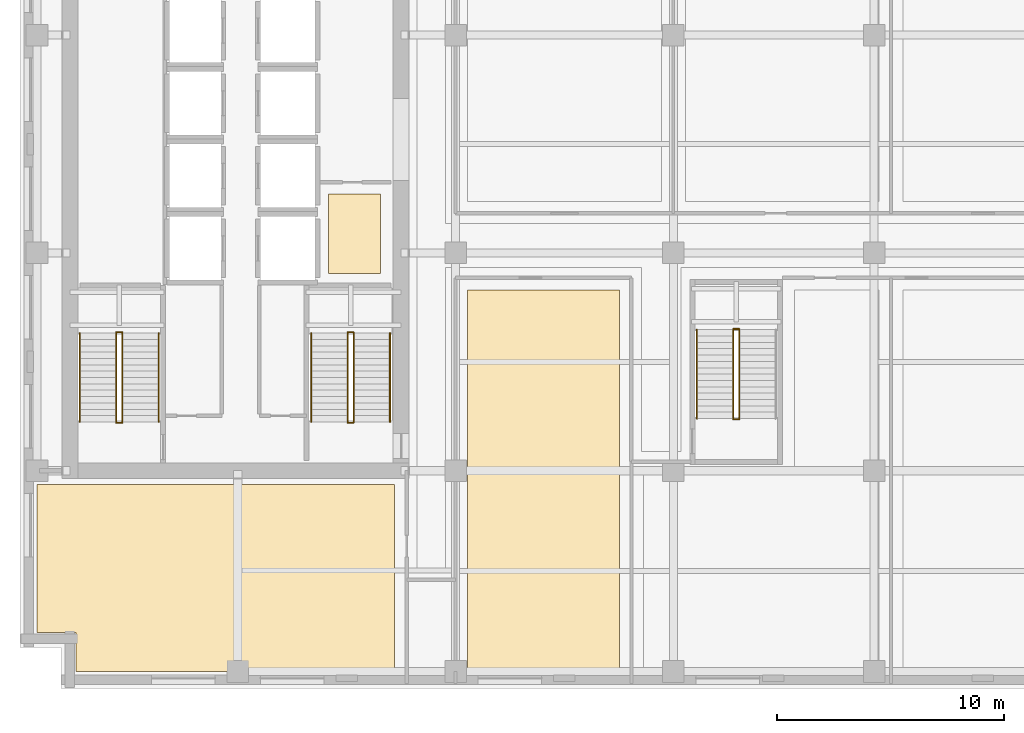
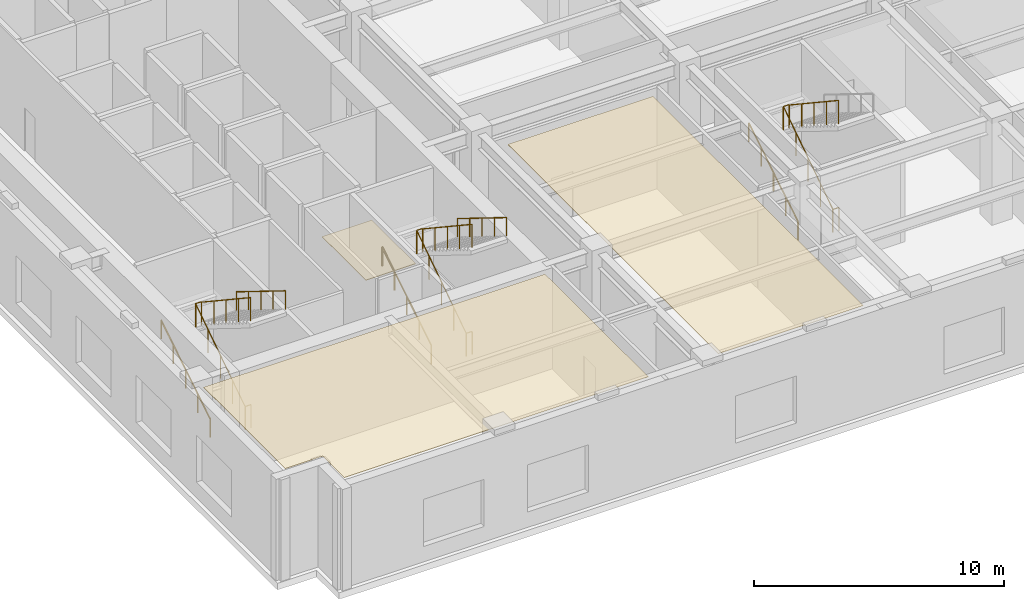
# One storey, part 14 of 18: 17 railings, 3 coverings.
"""IFC4 building model written with IfcOpenShell, lengths in metres."""

from ifc_helpers import new_model, si_unit, direction, frame, origin, origin_2d, place, context, subcontext, project, spatial, polyline, circle, outline, extrude, material, layer, layer_set, type_object, element, save


model = new_model("IFC4")

# Units and contexts
model_context = context("Model", 3, precision=1e-05, world=origin(), true_north=direction((0.0, 1.0)))
body_context = subcontext(model_context, "Body", "Model", "MODEL_VIEW")
ifc_project = project(units=[si_unit("LENGTHUNIT", "METRE"), si_unit("AREAUNIT", "SQUARE_METRE"), si_unit("VOLUMEUNIT", "CUBIC_METRE"), si_unit("PLANEANGLEUNIT", "RADIAN"), si_unit("MASSUNIT", "GRAM", prefix="KILO")], contexts=[model_context])

# Site, building, storey
site_placement = place(None, origin())
site = spatial("IfcSite", under=ifc_project, at=site_placement, CompositionType="ELEMENT")
building_placement = place(site_placement, origin())
building = spatial("IfcBuilding", under=site, at=building_placement, Name="Norrvale University Quadrangle", CompositionType="ELEMENT")
storey_placement = place(building_placement, frame((0.0, 0.0, 150.800048828125)))
storey = spatial("IfcBuildingStorey", under=building, at=storey_placement, Name="L38", CompositionType="ELEMENT", Elevation=150.800048828125)

# Coverings
ifc_material_1 = material(Name="Perforated Acoustic Mineral Ceiling")
ifc_layer_1 = layer(ifc_material_1, 0.02490234375, Name="Perforated Acoustic Mineral Ceiling")
ifc_layer_set_1 = layer_set([ifc_layer_1], Name="Perforated Acoustic Mineral Ceiling")
covering_type_1 = type_object("IfcCoveringType", Name="Covering Acoustic Ceiling 25", PredefinedType="CEILING", material=ifc_layer_set_1)
covering_1_placement = place(storey_placement, frame((0.0, 0.0, 4.9150390625)))
element("IfcCovering", 1, at=covering_1_placement, inside=storey, type_object=covering_type_1, Name="Acoustic Ceiling RM-L38-SW1", PredefinedType="CEILING", context=body_context, shape_type="SweptSolid", body=[
    extrude(outline(polyline([(0.75, 9.0), (16.5, 9.0), (16.5, 0.75), (2.469970703125, 0.75), (2.469970703125, 2.469970703125), (0.75, 2.469970703125), (0.75, 9.0)])), origin(), (0.0, 0.0, 1.0), 0.02490234375),
])
covering_2_placement = place(storey_placement, frame((0.0, 0.0, 4.9150390625)))
element("IfcCovering", 2, at=covering_2_placement, inside=storey, type_object=covering_type_1, Name="Acoustic Ceiling RM-L38-SE1", PredefinedType="CEILING", context=body_context, shape_type="SweptSolid", body=[
    extrude(outline(polyline([(19.72998046875, 17.570068359375), (26.419921875, 17.570068359375), (26.419921875, 0.75), (19.72998046875, 0.75), (19.72998046875, 17.570068359375)])), origin(), (0.0, 0.0, 1.0), 0.02490234375),
])
ifc_material_2 = material(Name="Polished Terrazzo Flooring")
ifc_layer_2 = layer(ifc_material_2, 0.02490234375, Name="Polished Terrazzo Flooring")
ifc_layer_set_2 = layer_set([ifc_layer_2], Name="Polished Terrazzo Flooring")
covering_type_2 = type_object("IfcCoveringType", Name="Covering Terrazzo Floor 30", PredefinedType="FLOORING", material=ifc_layer_set_2)
covering_3_placement = place(storey_placement, origin())
element("IfcCovering", 3, at=covering_3_placement, inside=storey, type_object=covering_type_2, Name="Terrazzo Flooring RM-L38-JAN", PredefinedType="FLOORING", context=body_context, shape_type="SweptSolid", body=[
    extrude(outline(polyline([(13.60009765625, 18.300048828125), (13.60009765625, 21.800048828125), (15.89990234375, 21.800048828125), (15.89990234375, 18.300048828125), (13.60009765625, 18.300048828125)])), origin(), (0.0, 0.0, 1.0), 0.02490234375),
])

# Railings
ifc_material_3 = material(Name="Steel 350W Painted Balustrade", Category="steel")
railing_type_1 = type_object("IfcRailingType", Name="Railing Stair Guard 1100", PredefinedType="GUARDRAIL", material=ifc_material_3)
for number, where, name in (
    (4, (4.239990234375, 11.719970703125, 0.0), "Stair Floor Well Guard ST-01 L38"),
    (5, (4.239990234375, 15.699951171875, 2.599853515625), "Stair Mid-Landing Slot Guard ST-01 L38"),
):
    element("IfcRailing", number, at=place(storey_placement, frame(where)), inside=storey, type_object=railing_type_1, Name=name, PredefinedType="GUARDRAIL", context=body_context, shape_type="SweptSolid", body=[
        extrude(circle(Radius=0.02392578125, at=origin_2d()), frame((0.0, 0.0, 1.1259765625), z_axis=(1.0, 0.0, 0.0), x_axis=(0.0, 1.0, 0.0)), (0.0, 0.0, 1.0), 0.27001953125),
        extrude(circle(Radius=0.02099609375, at=origin_2d()), origin(), (0.0, 0.0, 1.0), 1.101806640625),
        extrude(circle(Radius=0.02099609375, at=origin_2d()), frame((0.27001953125, 0.0, 0.0)), (0.0, 0.0, 1.0), 1.101806640625),
    ])
railing_1_placement = place(storey_placement, frame((4.239990234375, 11.75, 0.0)))
element("IfcRailing", 6, at=railing_1_placement, inside=storey, type_object=railing_type_1, Name="Stair Lower Flight Inner Guard ST-01 L38", PredefinedType="GUARDRAIL", context=body_context, shape_type="SweptSolid", body=[
    extrude(circle(Radius=0.02392578125, at=origin_2d()), frame((0.0, 0.0, 1.1259765625), z_axis=(0.0, 0.833365502166, 0.552722298989), x_axis=(-1.0, 0.0, 0.0)), (0.0, 0.0, 1.0), 4.70361328125),
    extrude(circle(Radius=0.02099609375, at=origin_2d()), origin(), (0.0, 0.0, 1.0), 1.101806640625),
    extrude(circle(Radius=0.02099609375, at=origin_2d()), frame((0.0, 0.97998046875, 0.64990234375)), (0.0, 0.0, 1.0), 1.101806640625),
    extrude(circle(Radius=0.02099609375, at=origin_2d()), frame((0.0, 1.9599609375, 1.2998046875)), (0.0, 0.0, 1.0), 1.101806640625),
    extrude(circle(Radius=0.02099609375, at=origin_2d()), frame((0.0, 2.93994140625, 1.949951171875)), (0.0, 0.0, 1.0), 1.101806640625),
    extrude(circle(Radius=0.02099609375, at=origin_2d()), frame((0.0, 3.919921875, 2.599853515625)), (0.0, 0.0, 1.0), 1.101806640625),
])
railing_2_placement = place(storey_placement, frame((4.510009765625, 15.669921875, 2.599853515625)))
element("IfcRailing", 7, at=railing_2_placement, inside=storey, type_object=railing_type_1, Name="Stair Upper Flight Inner Guard ST-01 L38", PredefinedType="GUARDRAIL", context=body_context, shape_type="SweptSolid", body=[
    extrude(circle(Radius=0.02392578125, at=origin_2d()), frame((0.0, 0.0, 1.1259765625), z_axis=(0.0, -0.833341594215, 0.552758344444), x_axis=(1.0, 0.0, 0.0)), (0.0, 0.0, 1.0), 4.703857421875),
    extrude(circle(Radius=0.02099609375, at=origin_2d()), origin(), (0.0, 0.0, 1.0), 1.101806640625),
    extrude(circle(Radius=0.02099609375, at=origin_2d()), frame((0.0, -0.97998046875, 0.64990234375)), (0.0, 0.0, 1.0), 1.101806640625),
    extrude(circle(Radius=0.02099609375, at=origin_2d()), frame((0.0, -1.9599609375, 1.300048828125)), (0.0, 0.0, 1.0), 1.101806640625),
    extrude(circle(Radius=0.02099609375, at=origin_2d()), frame((0.0, -2.93994140625, 1.9501953125)), (0.0, 0.0, 1.0), 1.101806640625),
    extrude(circle(Radius=0.02099609375, at=origin_2d()), frame((0.0, -3.919921875, 2.60009765625)), (0.0, 0.0, 1.0), 1.101806640625),
])
for number, where, name in (
    (8, (14.43994140625, 11.719970703125, 0.0), "Stair Floor Well Guard ST-03 L38"),
    (9, (14.43994140625, 15.699951171875, 2.599853515625), "Stair Mid-Landing Slot Guard ST-03 L38"),
):
    element("IfcRailing", number, at=place(storey_placement, frame(where)), inside=storey, type_object=railing_type_1, Name=name, PredefinedType="GUARDRAIL", context=body_context, shape_type="SweptSolid", body=[
        extrude(circle(Radius=0.02392578125, at=origin_2d()), frame((0.0, 0.0, 1.1259765625), z_axis=(1.0, 0.0, 0.0), x_axis=(0.0, 1.0, 0.0)), (0.0, 0.0, 1.0), 0.27001953125),
        extrude(circle(Radius=0.02099609375, at=origin_2d()), origin(), (0.0, 0.0, 1.0), 1.101806640625),
        extrude(circle(Radius=0.02099609375, at=origin_2d()), frame((0.27001953125, 0.0, 0.0)), (0.0, 0.0, 1.0), 1.101806640625),
    ])
railing_3_placement = place(storey_placement, frame((14.43994140625, 11.75, 0.0)))
element("IfcRailing", 10, at=railing_3_placement, inside=storey, type_object=railing_type_1, Name="Stair Lower Flight Inner Guard ST-03 L38", PredefinedType="GUARDRAIL", context=body_context, shape_type="SweptSolid", body=[
    extrude(circle(Radius=0.02392578125, at=origin_2d()), frame((0.0, 0.0, 1.1259765625), z_axis=(0.0, 0.833365502166, 0.552722298989), x_axis=(-1.0, 0.0, 0.0)), (0.0, 0.0, 1.0), 4.70361328125),
    extrude(circle(Radius=0.02099609375, at=origin_2d()), origin(), (0.0, 0.0, 1.0), 1.101806640625),
    extrude(circle(Radius=0.02099609375, at=origin_2d()), frame((0.0, 0.97998046875, 0.64990234375)), (0.0, 0.0, 1.0), 1.101806640625),
    extrude(circle(Radius=0.02099609375, at=origin_2d()), frame((0.0, 1.9599609375, 1.2998046875)), (0.0, 0.0, 1.0), 1.101806640625),
    extrude(circle(Radius=0.02099609375, at=origin_2d()), frame((0.0, 2.93994140625, 1.949951171875)), (0.0, 0.0, 1.0), 1.101806640625),
    extrude(circle(Radius=0.02099609375, at=origin_2d()), frame((0.0, 3.919921875, 2.599853515625)), (0.0, 0.0, 1.0), 1.101806640625),
])
railing_4_placement = place(storey_placement, frame((14.7099609375, 15.669921875, 2.599853515625)))
element("IfcRailing", 11, at=railing_4_placement, inside=storey, type_object=railing_type_1, Name="Stair Upper Flight Inner Guard ST-03 L38", PredefinedType="GUARDRAIL", context=body_context, shape_type="SweptSolid", body=[
    extrude(circle(Radius=0.02392578125, at=origin_2d()), frame((0.0, 0.0, 1.1259765625), z_axis=(0.0, -0.833341594215, 0.552758344444), x_axis=(1.0, 0.0, 0.0)), (0.0, 0.0, 1.0), 4.703857421875),
    extrude(circle(Radius=0.02099609375, at=origin_2d()), origin(), (0.0, 0.0, 1.0), 1.101806640625),
    extrude(circle(Radius=0.02099609375, at=origin_2d()), frame((0.0, -0.97998046875, 0.64990234375)), (0.0, 0.0, 1.0), 1.101806640625),
    extrude(circle(Radius=0.02099609375, at=origin_2d()), frame((0.0, -1.9599609375, 1.300048828125)), (0.0, 0.0, 1.0), 1.101806640625),
    extrude(circle(Radius=0.02099609375, at=origin_2d()), frame((0.0, -2.93994140625, 1.9501953125)), (0.0, 0.0, 1.0), 1.101806640625),
    extrude(circle(Radius=0.02099609375, at=origin_2d()), frame((0.0, -3.919921875, 2.60009765625)), (0.0, 0.0, 1.0), 1.101806640625),
])
for number, where, name in (
    (12, (31.43994140625, 11.8701171875, 0.0), "Stair Floor Well Guard ST-04 L38"),
    (13, (31.43994140625, 15.85009765625, 2.599853515625), "Stair Mid-Landing Slot Guard ST-04 L38"),
):
    element("IfcRailing", number, at=place(storey_placement, frame(where)), inside=storey, type_object=railing_type_1, Name=name, PredefinedType="GUARDRAIL", context=body_context, shape_type="SweptSolid", body=[
        extrude(circle(Radius=0.02392578125, at=origin_2d()), frame((0.0, 0.0, 1.1259765625), z_axis=(1.0, 0.0, 0.0), x_axis=(0.0, 1.0, 0.0)), (0.0, 0.0, 1.0), 0.27001953125),
        extrude(circle(Radius=0.02099609375, at=origin_2d()), origin(), (0.0, 0.0, 1.0), 1.101806640625),
        extrude(circle(Radius=0.02099609375, at=origin_2d()), frame((0.27001953125, 0.0, 0.0)), (0.0, 0.0, 1.0), 1.101806640625),
    ])
railing_5_placement = place(storey_placement, frame((31.43994140625, 11.89990234375, 0.0)))
element("IfcRailing", 14, at=railing_5_placement, inside=storey, type_object=railing_type_1, Name="Stair Lower Flight Inner Guard ST-04 L38", PredefinedType="GUARDRAIL", context=body_context, shape_type="SweptSolid", body=[
    extrude(circle(Radius=0.02392578125, at=origin_2d()), frame((0.0, 0.0, 1.1259765625), z_axis=(0.0, 0.833381357812, 0.552698391938), x_axis=(-1.0, 0.0, 0.0)), (0.0, 0.0, 1.0), 4.703857421875),
    extrude(circle(Radius=0.02099609375, at=origin_2d()), origin(), (0.0, 0.0, 1.0), 1.101806640625),
    extrude(circle(Radius=0.02099609375, at=origin_2d()), frame((0.0, 0.97998046875, 0.64990234375)), (0.0, 0.0, 1.0), 1.101806640625),
    extrude(circle(Radius=0.02099609375, at=origin_2d()), frame((0.0, 1.9599609375, 1.2998046875)), (0.0, 0.0, 1.0), 1.101806640625),
    extrude(circle(Radius=0.02099609375, at=origin_2d()), frame((0.0, 2.940185546875, 1.949951171875)), (0.0, 0.0, 1.0), 1.101806640625),
    extrude(circle(Radius=0.02099609375, at=origin_2d()), frame((0.0, 3.920166015625, 2.599853515625)), (0.0, 0.0, 1.0), 1.101806640625),
])
railing_6_placement = place(storey_placement, frame((31.7099609375, 15.820068359375, 2.599853515625)))
element("IfcRailing", 15, at=railing_6_placement, inside=storey, type_object=railing_type_1, Name="Stair Upper Flight Inner Guard ST-04 L38", PredefinedType="GUARDRAIL", context=body_context, shape_type="SweptSolid", body=[
    extrude(circle(Radius=0.02392578125, at=origin_2d()), frame((0.0, 0.0, 1.1259765625), z_axis=(0.0, -0.833357451474, 0.552734437205), x_axis=(1.0, 0.0, 0.0)), (0.0, 0.0, 1.0), 4.7041015625),
    extrude(circle(Radius=0.02099609375, at=origin_2d()), origin(), (0.0, 0.0, 1.0), 1.101806640625),
    extrude(circle(Radius=0.02099609375, at=origin_2d()), frame((0.0, -0.97998046875, 0.64990234375)), (0.0, 0.0, 1.0), 1.101806640625),
    extrude(circle(Radius=0.02099609375, at=origin_2d()), frame((0.0, -1.9599609375, 1.300048828125)), (0.0, 0.0, 1.0), 1.101806640625),
    extrude(circle(Radius=0.02099609375, at=origin_2d()), frame((0.0, -2.940185546875, 1.9501953125)), (0.0, 0.0, 1.0), 1.101806640625),
    extrude(circle(Radius=0.02099609375, at=origin_2d()), frame((0.0, -3.920166015625, 2.60009765625)), (0.0, 0.0, 1.0), 1.101806640625),
])
ifc_material_4 = material(Name="Stainless Steel 316L Handrail", Category="steel")
railing_type_2 = type_object("IfcRailingType", Name="Railing Stair Handrail 920", PredefinedType="HANDRAIL", material=ifc_material_4)
railing_7_placement = place(storey_placement, frame((2.639892578125, 11.75, 0.17333984375)))
element("IfcRailing", 16, at=railing_7_placement, inside=storey, type_object=railing_type_2, Name="Stair Lower Flight Handrail ST-01 L38", PredefinedType="HANDRAIL", context=body_context, shape_type="SweptSolid", body=[
    extrude(circle(Radius=0.02392578125, at=origin_2d()), frame((0.0, 0.0, 0.89599609375), z_axis=(0.0, 0.850275303828, 0.526338206574), x_axis=(-1.0, 0.0, 0.0)), (0.0, 0.0, 1.0), 4.610107421875),
    extrude(circle(Radius=0.02099609375, at=origin_2d()), origin(), (0.0, 0.0, 1.0), 0.871826171875),
    extrude(circle(Radius=0.02099609375, at=origin_2d()), frame((0.0, 0.97998046875, 0.606689453125)), (0.0, 0.0, 1.0), 0.871826171875),
    extrude(circle(Radius=0.02099609375, at=origin_2d()), frame((0.0, 1.9599609375, 1.21337890625)), (0.0, 0.0, 1.0), 0.871826171875),
    extrude(circle(Radius=0.02099609375, at=origin_2d()), frame((0.0, 2.93994140625, 1.81982421875)), (0.0, 0.0, 1.0), 0.871826171875),
    extrude(circle(Radius=0.02099609375, at=origin_2d()), frame((0.0, 3.919921875, 2.426513671875)), (0.0, 0.0, 1.0), 0.871826171875),
])
railing_8_placement = place(storey_placement, frame((6.110107421875, 15.669921875, 2.773193359375)))
element("IfcRailing", 17, at=railing_8_placement, inside=storey, type_object=railing_type_2, Name="Stair Upper Flight Handrail ST-01 L38", PredefinedType="HANDRAIL", context=body_context, shape_type="SweptSolid", body=[
    extrude(circle(Radius=0.02392578125, at=origin_2d()), frame((0.0, 0.0, 0.89599609375), z_axis=(0.0, -0.850251603719, 0.526376491091), x_axis=(1.0, 0.0, 0.0)), (0.0, 0.0, 1.0), 4.6103515625),
    extrude(circle(Radius=0.02099609375, at=origin_2d()), origin(), (0.0, 0.0, 1.0), 0.871826171875),
    extrude(circle(Radius=0.02099609375, at=origin_2d()), frame((0.0, -0.97998046875, 0.606689453125)), (0.0, 0.0, 1.0), 0.871826171875),
    extrude(circle(Radius=0.02099609375, at=origin_2d()), frame((0.0, -1.9599609375, 1.21337890625)), (0.0, 0.0, 1.0), 0.871826171875),
    extrude(circle(Radius=0.02099609375, at=origin_2d()), frame((0.0, -2.93994140625, 1.820068359375)), (0.0, 0.0, 1.0), 0.871826171875),
    extrude(circle(Radius=0.02099609375, at=origin_2d()), frame((0.0, -3.919921875, 2.4267578125)), (0.0, 0.0, 1.0), 0.871826171875),
])
railing_9_placement = place(storey_placement, frame((12.840087890625, 11.75, 0.17333984375)))
element("IfcRailing", 18, at=railing_9_placement, inside=storey, type_object=railing_type_2, Name="Stair Lower Flight Handrail ST-03 L38", PredefinedType="HANDRAIL", context=body_context, shape_type="SweptSolid", body=[
    extrude(circle(Radius=0.02392578125, at=origin_2d()), frame((0.0, 0.0, 0.89599609375), z_axis=(0.0, 0.850275303828, 0.526338206574), x_axis=(-1.0, 0.0, 0.0)), (0.0, 0.0, 1.0), 4.610107421875),
    extrude(circle(Radius=0.02099609375, at=origin_2d()), origin(), (0.0, 0.0, 1.0), 0.871826171875),
    extrude(circle(Radius=0.02099609375, at=origin_2d()), frame((0.0, 0.97998046875, 0.606689453125)), (0.0, 0.0, 1.0), 0.871826171875),
    extrude(circle(Radius=0.02099609375, at=origin_2d()), frame((0.0, 1.9599609375, 1.21337890625)), (0.0, 0.0, 1.0), 0.871826171875),
    extrude(circle(Radius=0.02099609375, at=origin_2d()), frame((0.0, 2.93994140625, 1.81982421875)), (0.0, 0.0, 1.0), 0.871826171875),
    extrude(circle(Radius=0.02099609375, at=origin_2d()), frame((0.0, 3.919921875, 2.426513671875)), (0.0, 0.0, 1.0), 0.871826171875),
])
railing_10_placement = place(storey_placement, frame((16.31005859375, 15.669921875, 2.773193359375)))
element("IfcRailing", 19, at=railing_10_placement, inside=storey, type_object=railing_type_2, Name="Stair Upper Flight Handrail ST-03 L38", PredefinedType="HANDRAIL", context=body_context, shape_type="SweptSolid", body=[
    extrude(circle(Radius=0.02392578125, at=origin_2d()), frame((0.0, 0.0, 0.89599609375), z_axis=(0.0, -0.850251603719, 0.526376491091), x_axis=(1.0, 0.0, 0.0)), (0.0, 0.0, 1.0), 4.6103515625),
    extrude(circle(Radius=0.02099609375, at=origin_2d()), origin(), (0.0, 0.0, 1.0), 0.871826171875),
    extrude(circle(Radius=0.02099609375, at=origin_2d()), frame((0.0, -0.97998046875, 0.606689453125)), (0.0, 0.0, 1.0), 0.871826171875),
    extrude(circle(Radius=0.02099609375, at=origin_2d()), frame((0.0, -1.9599609375, 1.21337890625)), (0.0, 0.0, 1.0), 0.871826171875),
    extrude(circle(Radius=0.02099609375, at=origin_2d()), frame((0.0, -2.93994140625, 1.820068359375)), (0.0, 0.0, 1.0), 0.871826171875),
    extrude(circle(Radius=0.02099609375, at=origin_2d()), frame((0.0, -3.919921875, 2.4267578125)), (0.0, 0.0, 1.0), 0.871826171875),
])
railing_11_placement = place(storey_placement, frame((29.840087890625, 11.89990234375, 0.17333984375)))
element("IfcRailing", 20, at=railing_11_placement, inside=storey, type_object=railing_type_2, Name="Stair Lower Flight Handrail ST-04 L38", PredefinedType="HANDRAIL", context=body_context, shape_type="SweptSolid", body=[
    extrude(circle(Radius=0.02392578125, at=origin_2d()), frame((0.0, 0.0, 0.89599609375), z_axis=(0.0, 0.850289973577, 0.526314507528), x_axis=(-1.0, 0.0, 0.0)), (0.0, 0.0, 1.0), 4.6103515625),
    extrude(circle(Radius=0.02099609375, at=origin_2d()), origin(), (0.0, 0.0, 1.0), 0.871826171875),
    extrude(circle(Radius=0.02099609375, at=origin_2d()), frame((0.0, 0.97998046875, 0.606689453125)), (0.0, 0.0, 1.0), 0.871826171875),
    extrude(circle(Radius=0.02099609375, at=origin_2d()), frame((0.0, 1.9599609375, 1.21337890625)), (0.0, 0.0, 1.0), 0.871826171875),
    extrude(circle(Radius=0.02099609375, at=origin_2d()), frame((0.0, 2.940185546875, 1.81982421875)), (0.0, 0.0, 1.0), 0.871826171875),
    extrude(circle(Radius=0.02099609375, at=origin_2d()), frame((0.0, 3.920166015625, 2.426513671875)), (0.0, 0.0, 1.0), 0.871826171875),
])

save(model, "model.ifc")
